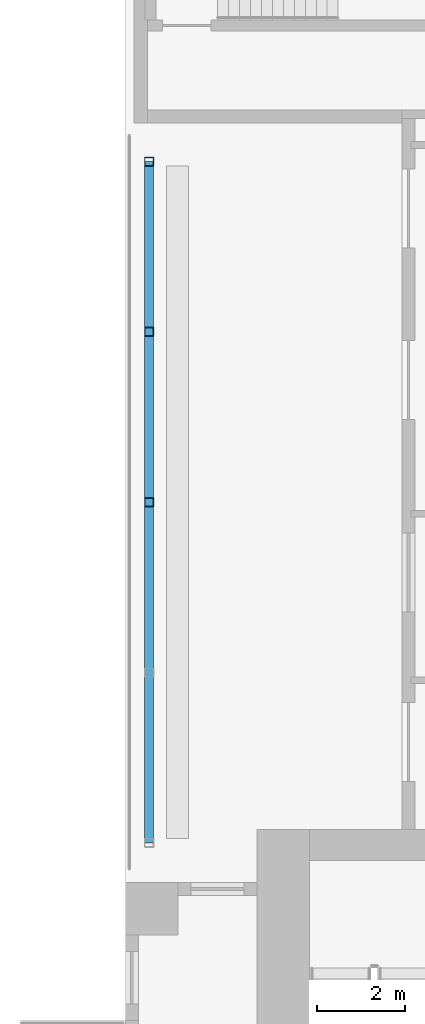
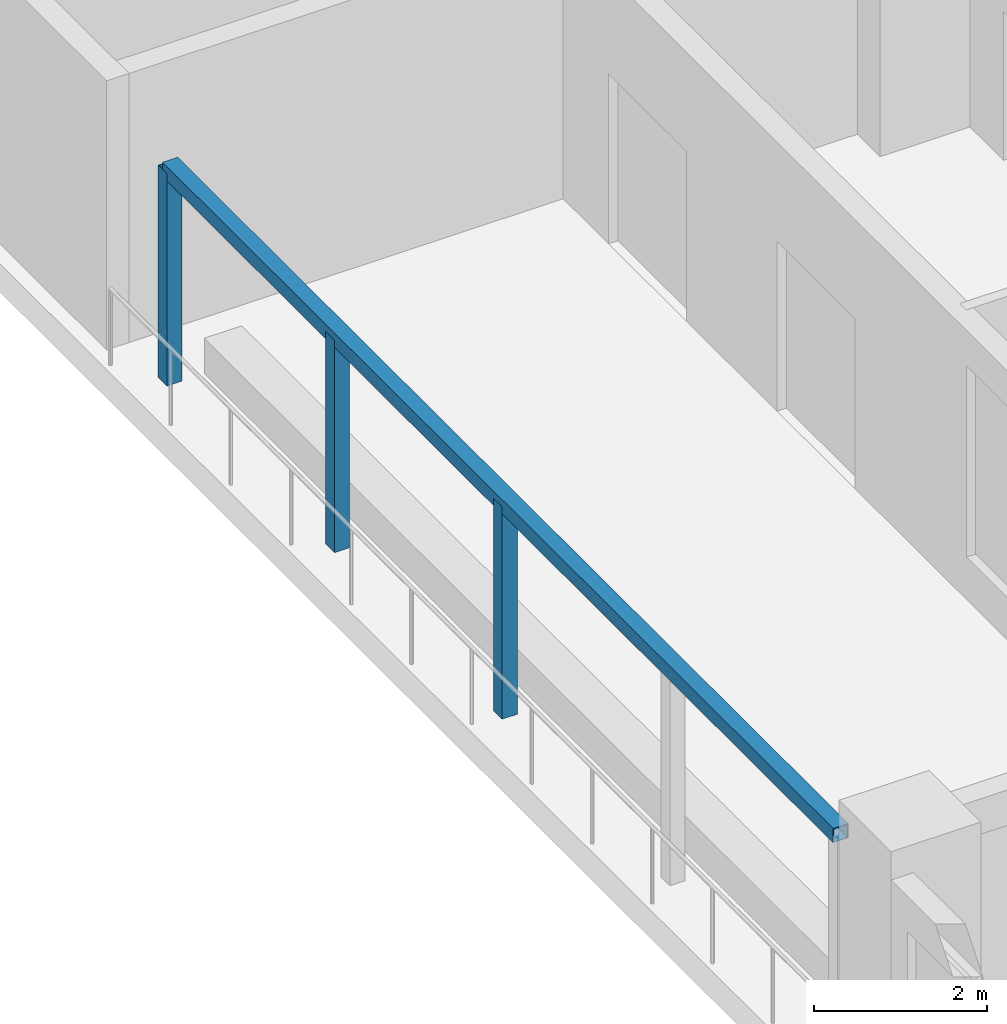
# One storey, part 4 of 18: 4 members.
"""IFC4 building model written with IfcOpenShell, lengths in metres."""

from ifc_helpers import new_model, si_unit, direction, frame, origin, origin_2d, place, context, subcontext, project, spatial, hollow_rectangle, extrude, source, transform, mapped, material, material_profile, profile_set, type_object, element, save


model = new_model("IFC4")

# Units and contexts
model_context = context("Model", 3, precision=1e-05, world=origin(), true_north=direction((0.0, 1.0)))
body_context = subcontext(model_context, "Body", "Model", "MODEL_VIEW")
ifc_project = project(units=[si_unit("LENGTHUNIT", "METRE"), si_unit("AREAUNIT", "SQUARE_METRE"), si_unit("VOLUMEUNIT", "CUBIC_METRE"), si_unit("PLANEANGLEUNIT", "RADIAN"), si_unit("MASSUNIT", "GRAM", prefix="KILO")], contexts=[model_context])

# Site, building, storey
site_placement = place(None, origin())
site = spatial("IfcSite", under=ifc_project, at=site_placement, CompositionType="ELEMENT")
building_placement = place(site_placement, origin())
building = spatial("IfcBuilding", under=site, at=building_placement, Name="Aurelian Terraces", CompositionType="ELEMENT")
storey_placement = place(building_placement, frame((0.0, 0.0, 99.3)))
storey = spatial("IfcBuildingStorey", under=building, at=storey_placement, Name="L21", CompositionType="ELEMENT", Elevation=99.3)

# Members
ifc_material = material(Name="Steel ASTM A500 Gr C", Category="steel")
ifc_material_profile_1 = material_profile(ifc_material, hollow_rectangle(XDim=0.2032, YDim=0.2032, WallThickness=0.0089, at=origin_2d()))
ifc_profile_set_1 = profile_set([ifc_material_profile_1], Name="Steel ASTM A500 Gr C")
member_type_1 = type_object("IfcMemberType", Name="PERGOLA BEAM HSS8X8X3/8", PredefinedType="STRINGER", material=ifc_profile_set_1)
member_placement = place(storey_placement, frame((0.54, 21.9, 3.0), z_axis=(0.0, 1.0, 0.0), x_axis=(-1.0, 0.0, 0.0)))
element("IfcMember", 1, at=member_placement, inside=storey, type_object=member_type_1, Name="Pergola beam L21 L21-X1.1", PredefinedType="STRINGER", context=body_context, shape_type="SweptSolid", body=[
    extrude(hollow_rectangle(XDim=0.2032, YDim=0.2032, WallThickness=0.0089, at=origin_2d()), origin(), (0.0, 0.0, 1.0), 15.5211),
])
ifc_material_profile_2 = material_profile(ifc_material, hollow_rectangle(XDim=0.2032, YDim=0.2032, WallThickness=0.0089, at=origin_2d()))
ifc_profile_set_2 = profile_set([ifc_material_profile_2], Name="Steel ASTM A500 Gr C")
member_type_2 = type_object("IfcMemberType", Name="PERGOLA POST HSS8X8X3/8", PredefinedType="POST", material=ifc_profile_set_2)
shared_shape = source(origin(), body_context, "Body", "SweptSolid", [
    extrude(hollow_rectangle(XDim=0.2032, YDim=0.2032, WallThickness=0.0089, at=origin_2d()), origin(), (0.0, 0.0, 1.0), 3.0),
])
for number, where, z_axis, x_axis, name in (
    (2, (0.54, 29.6606, 0.0), (0.0, 0.0, 1.0), (1.0, 0.0, 0.0), "Pergola post L21 L21-X1.1.3"),
    (3, (0.54, 33.5408, 0.0), (0.0, 0.0, 1.0), (1.0, 0.0, 0.0), "Pergola post L21 L21-X1.1.4"),
    (4, (0.54, 37.4211, 0.0), (0.0, 0.0, 1.0), (1.0, 0.0, 0.0), "Pergola post L21 L21-X1.1.5"),
):
    element("IfcMember", number, at=place(storey_placement, frame(where, z_axis=z_axis, x_axis=x_axis)), inside=storey, type_object=member_type_2, Name=name, PredefinedType="POST", context=body_context, shape_type="MappedRepresentation", body=[
        mapped(shared_shape, transform((0.0, 0.0, 0.0), scale=1.0)),
    ])

save(model, "model.ifc")
